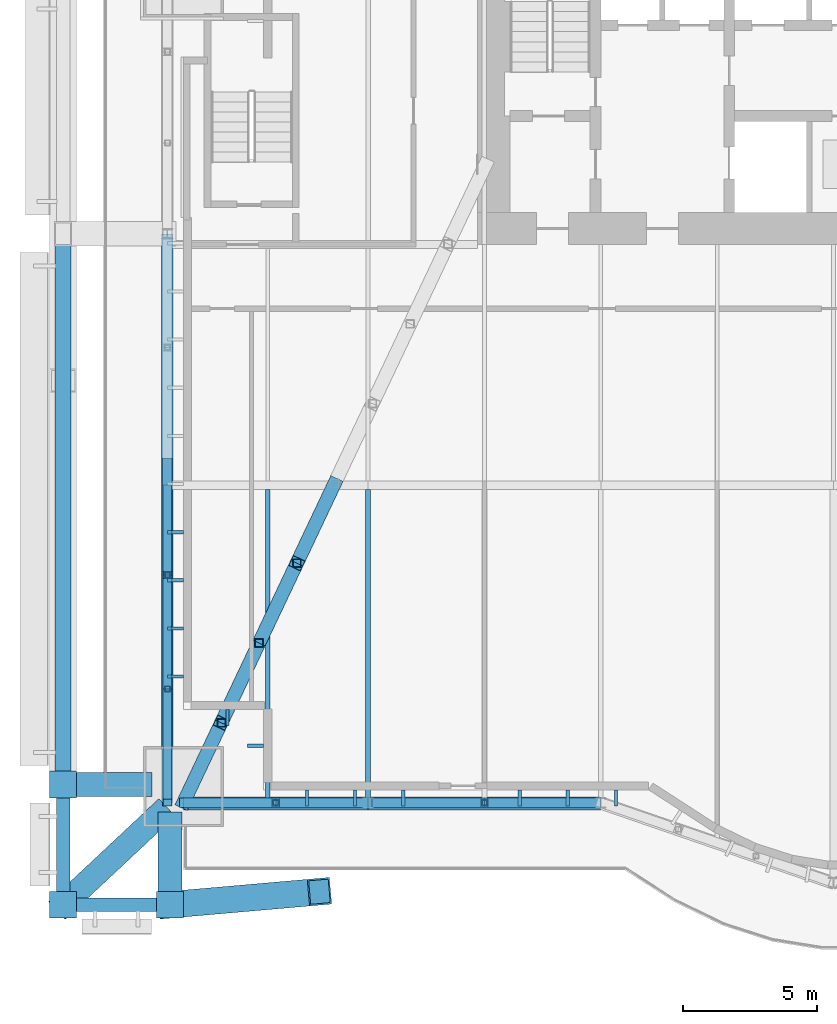
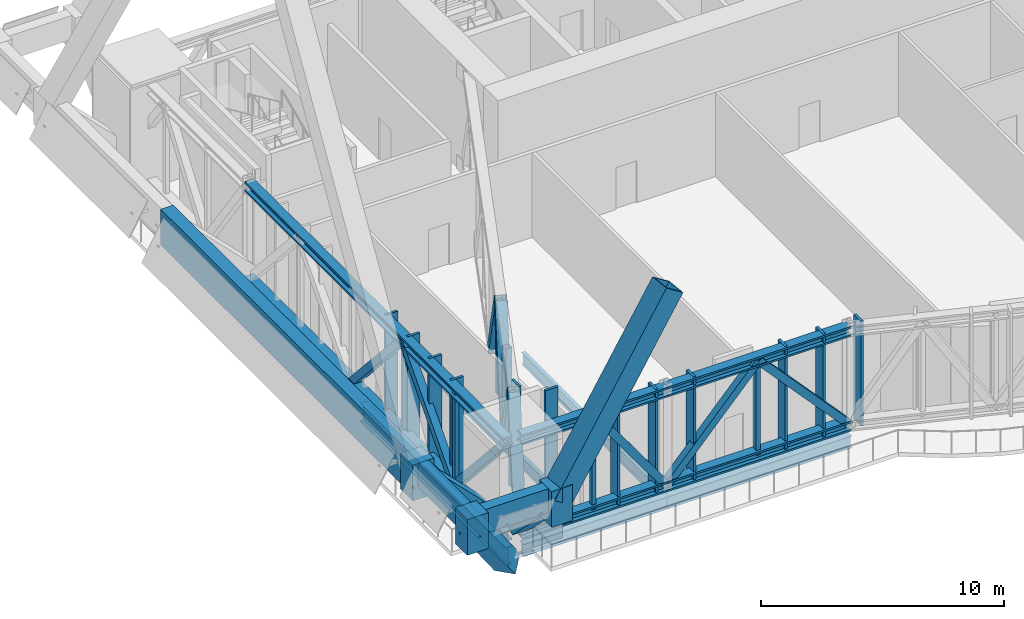
# One storey, part 4 of 32: 43 members, 8 beams, 1 element without a shape of its own.
"""IFC4 building model written with IfcOpenShell, lengths in metres."""

from ifc_helpers import new_model, si_unit, direction, frame, origin, origin_2d, place, context, subcontext, project, spatial, rectangle, hollow_rectangle, i_section, extrude, material, material_profile, profile_set, type_object, element, aggregate, save


model = new_model("IFC4")

# Units and contexts
model_context = context("Model", 3, precision=1e-05, world=origin(), true_north=direction((0.0, 1.0)))
body_context = subcontext(model_context, "Body", "Model", "MODEL_VIEW")
ifc_project = project(units=[si_unit("LENGTHUNIT", "METRE"), si_unit("AREAUNIT", "SQUARE_METRE"), si_unit("VOLUMEUNIT", "CUBIC_METRE"), si_unit("PLANEANGLEUNIT", "RADIAN"), si_unit("MASSUNIT", "GRAM", prefix="KILO")], contexts=[model_context])

# Site, building, storey
site_placement = place(None, origin())
site = spatial("IfcSite", under=ifc_project, at=site_placement, CompositionType="ELEMENT")
building_placement = place(site_placement, origin())
building = spatial("IfcBuilding", under=site, at=building_placement, Name="Bicima Exchange Tower", CompositionType="ELEMENT")
storey_placement = place(building_placement, frame((0.0, 0.0, 135.0)))
storey = spatial("IfcBuildingStorey", under=building, at=storey_placement, Name="L29", CompositionType="ELEMENT", Elevation=135.0)

# Curtain wall, members
ifc_material_1 = material(Name="Anodised bronze aluminium", Category="aluminium")
curtain_wall_type = type_object("IfcCurtainWallType", Name="Band blade screen", PredefinedType="NOTDEFINED", material=ifc_material_1)
curtain_wall_placement = place(storey_placement, origin())
curtain_wall = element("IfcCurtainWall", 1, at=curtain_wall_placement, inside=storey, type_object=curtain_wall_type, Name="Band blade screen L29", PredefinedType="NOTDEFINED")
ifc_material_profile_1 = material_profile(ifc_material_1, rectangle(XDim=0.60009765625, YDim=0.1201171875, at=origin_2d()))
ifc_profile_set_1 = profile_set([ifc_material_profile_1], Name="Anodised bronze aluminium")
member_type_1 = type_object("IfcMemberType", Name="Band blade fin 600 x 120", PredefinedType="USERDEFINED", material=ifc_profile_set_1)
member_1_placement = place(storey_placement, frame((-33.300048828125, -23.756103515625, 0.0), z_axis=(0.0, 0.0, 1.0), x_axis=(1.0, 0.0, 0.0)))
member_1 = element("IfcMember", 2, at=member_1_placement, type_object=member_type_1, Name="Band blade fin 21", ObjectType="FIN", PredefinedType="USERDEFINED", context=body_context, shape_type="SweptSolid", body=[
    extrude(rectangle(XDim=0.60009765625, YDim=0.1201171875, at=origin_2d()), origin(), (0.0, 0.0, 1.0), 5.25),
])
member_2_placement = place(storey_placement, frame((-33.300048828125, -25.55615234375, 0.0), z_axis=(0.0, 0.0, 1.0), x_axis=(1.0, 0.0, 0.0)))
member_2 = element("IfcMember", 3, at=member_2_placement, type_object=member_type_1, Name="Band blade fin 22", ObjectType="FIN", PredefinedType="USERDEFINED", context=body_context, shape_type="SweptSolid", body=[
    extrude(rectangle(XDim=0.60009765625, YDim=0.1201171875, at=origin_2d()), origin(), (0.0, 0.0, 1.0), 5.25),
])
member_3_placement = place(storey_placement, frame((-33.300048828125, -27.356201171875, 0.0), z_axis=(0.0, 0.0, 1.0), x_axis=(1.0, 0.0, 0.0)))
member_3 = element("IfcMember", 4, at=member_3_placement, type_object=member_type_1, Name="Band blade fin 23", ObjectType="FIN", PredefinedType="USERDEFINED", context=body_context, shape_type="SweptSolid", body=[
    extrude(rectangle(XDim=0.60009765625, YDim=0.1201171875, at=origin_2d()), origin(), (0.0, 0.0, 1.0), 5.25),
])
member_4_placement = place(storey_placement, frame((-33.300048828125, -29.156005859375, 0.0), z_axis=(0.0, 0.0, 1.0), x_axis=(1.0, 0.0, 0.0)))
member_4 = element("IfcMember", 5, at=member_4_placement, type_object=member_type_1, Name="Band blade fin 24", ObjectType="FIN", PredefinedType="USERDEFINED", context=body_context, shape_type="SweptSolid", body=[
    extrude(rectangle(XDim=0.60009765625, YDim=0.1201171875, at=origin_2d()), origin(), (0.0, 0.0, 1.0), 5.25),
])
member_5_placement = place(storey_placement, frame((-31.35009765625, -30.68798828125, 0.0), z_axis=(0.0, 0.0, 1.0), x_axis=(0.0, 1.0, 0.0)))
member_5 = element("IfcMember", 6, at=member_5_placement, type_object=member_type_1, Name="Band blade fin 25", ObjectType="FIN", PredefinedType="USERDEFINED", context=body_context, shape_type="SweptSolid", body=[
    extrude(rectangle(XDim=0.60009765625, YDim=0.1201171875, at=origin_2d()), origin(), (0.0, 0.0, 1.0), 5.25),
])
member_6_placement = place(storey_placement, frame((-30.300048828125, -31.738037109375, 0.0), z_axis=(0.0, 0.0, 1.0), x_axis=(1.0, 0.0, 0.0)))
member_6 = element("IfcMember", 7, at=member_6_placement, type_object=member_type_1, Name="Band blade fin 26", ObjectType="FIN", PredefinedType="USERDEFINED", context=body_context, shape_type="SweptSolid", body=[
    extrude(rectangle(XDim=0.60009765625, YDim=0.1201171875, at=origin_2d()), origin(), (0.0, 0.0, 1.0), 5.25),
])
member_7_placement = place(storey_placement, frame((-28.38720703125, -33.68798828125, 0.0), z_axis=(0.0, 0.0, 1.0), x_axis=(0.0, 1.0, 0.0)))
member_7 = element("IfcMember", 8, at=member_7_placement, type_object=member_type_1, Name="Band blade fin 27", ObjectType="FIN", PredefinedType="USERDEFINED", context=body_context, shape_type="SweptSolid", body=[
    extrude(rectangle(XDim=0.60009765625, YDim=0.1201171875, at=origin_2d()), origin(), (0.0, 0.0, 1.0), 5.25),
])
member_8_placement = place(storey_placement, frame((-26.587158203125, -33.68798828125, 0.0), z_axis=(0.0, 0.0, 1.0), x_axis=(0.0, 1.0, 0.0)))
member_8 = element("IfcMember", 9, at=member_8_placement, type_object=member_type_1, Name="Band blade fin 28", ObjectType="FIN", PredefinedType="USERDEFINED", context=body_context, shape_type="SweptSolid", body=[
    extrude(rectangle(XDim=0.60009765625, YDim=0.1201171875, at=origin_2d()), origin(), (0.0, 0.0, 1.0), 5.25),
])
member_9_placement = place(storey_placement, frame((-24.787109375, -33.68798828125, 0.0), z_axis=(0.0, 0.0, 1.0), x_axis=(0.0, 1.0, 0.0)))
member_9 = element("IfcMember", 10, at=member_9_placement, type_object=member_type_1, Name="Band blade fin 29", ObjectType="FIN", PredefinedType="USERDEFINED", context=body_context, shape_type="SweptSolid", body=[
    extrude(rectangle(XDim=0.60009765625, YDim=0.1201171875, at=origin_2d()), origin(), (0.0, 0.0, 1.0), 5.25),
])
member_10_placement = place(storey_placement, frame((-20.432373046875, -33.68798828125, 0.0), z_axis=(0.0, 0.0, 1.0), x_axis=(0.0, 1.0, 0.0)))
member_10 = element("IfcMember", 11, at=member_10_placement, type_object=member_type_1, Name="Band blade fin 30", ObjectType="FIN", PredefinedType="USERDEFINED", context=body_context, shape_type="SweptSolid", body=[
    extrude(rectangle(XDim=0.60009765625, YDim=0.1201171875, at=origin_2d()), origin(), (0.0, 0.0, 1.0), 5.25),
])
member_11_placement = place(storey_placement, frame((-18.63232421875, -33.68798828125, 0.0), z_axis=(0.0, 0.0, 1.0), x_axis=(0.0, 1.0, 0.0)))
member_11 = element("IfcMember", 12, at=member_11_placement, type_object=member_type_1, Name="Band blade fin 31", ObjectType="FIN", PredefinedType="USERDEFINED", context=body_context, shape_type="SweptSolid", body=[
    extrude(rectangle(XDim=0.60009765625, YDim=0.1201171875, at=origin_2d()), origin(), (0.0, 0.0, 1.0), 5.25),
])
member_12_placement = place(storey_placement, frame((-16.83251953125, -33.68798828125, 0.0), z_axis=(0.0, 0.0, 1.0), x_axis=(0.0, 1.0, 0.0)))
member_12 = element("IfcMember", 13, at=member_12_placement, type_object=member_type_1, Name="Band blade fin 32", ObjectType="FIN", PredefinedType="USERDEFINED", context=body_context, shape_type="SweptSolid", body=[
    extrude(rectangle(XDim=0.60009765625, YDim=0.1201171875, at=origin_2d()), origin(), (0.0, 0.0, 1.0), 5.25),
])
aggregate(curtain_wall, [member_1, member_2, member_3, member_4, member_5, member_6, member_7, member_8, member_9, member_10, member_11, member_12])

# Beams
ifc_material_2 = material(Name="Steel ASTM A572 Gr 50", Category="steel")
ifc_material_profile_2 = material_profile(ifc_material_2, hollow_rectangle(XDim=0.5, YDim=1.199951171875, WallThickness=0.0400390625, at=origin_2d()))
ifc_profile_set_2 = profile_set([ifc_material_profile_2], Name="Steel ASTM A572 Gr 50")
beam_type_1 = type_object("IfcBeamType", Name="Belt girder BOX 500x1200x40", PredefinedType="BEAM", material=ifc_profile_set_2)
beam_1_placement = place(storey_placement, frame((-37.5, -37.684814453125, 4.64990234375), z_axis=(1.0, 0.0, 0.0), x_axis=(0.0, 1.0, 0.0)))
element("IfcBeam", 14, at=beam_1_placement, inside=storey, type_object=beam_type_1, Name="Belt girder", PredefinedType="BEAM", context=body_context, shape_type="SweptSolid", body=[
    extrude(hollow_rectangle(XDim=0.5, YDim=1.199951171875, WallThickness=0.0400390625, at=origin_2d()), origin(), (0.0, 0.0, 1.0), 4.0),
])
beam_2_placement = place(storey_placement, frame((-37.5, -33.184814453125, 4.64990234375), z_axis=(0.0, -1.0, 0.0), x_axis=(1.0, 0.0, 0.0)))
element("IfcBeam", 15, at=beam_2_placement, inside=storey, type_object=beam_type_1, Name="Belt girder", PredefinedType="BEAM", context=body_context, shape_type="SweptSolid", body=[
    extrude(hollow_rectangle(XDim=0.5, YDim=1.199951171875, WallThickness=0.0400390625, at=origin_2d()), origin(), (0.0, 0.0, 1.0), 4.5),
])
ifc_material_profile_3 = material_profile(ifc_material_2, hollow_rectangle(XDim=0.60009765625, YDim=1.800048828125, WallThickness=0.06005859375, at=origin_2d()))
ifc_profile_set_3 = profile_set([ifc_material_profile_3], Name="Steel ASTM A572 Gr 50")
beam_type_2 = type_object("IfcBeamType", Name="Belt girder BOX 600x1800x60", PredefinedType="BEAM", material=ifc_profile_set_3)
beam_3_placement = place(storey_placement, frame((-37.5, -12.60009765625, 4.35009765625), z_axis=(0.0, -1.0, 0.0), x_axis=(1.0, 0.0, 0.0)))
element("IfcBeam", 16, at=beam_3_placement, inside=storey, type_object=beam_type_2, Name="Belt girder", PredefinedType="BEAM", context=body_context, shape_type="SweptSolid", body=[
    extrude(hollow_rectangle(XDim=0.60009765625, YDim=1.800048828125, WallThickness=0.06005859375, at=origin_2d()), origin(), (0.0, 0.0, 1.0), 20.584716796875),
])

# Members
ifc_material_3 = material(Name="Steel ASTM A992 Gr 50", Category="steel")
ifc_material_profile_4 = material_profile(ifc_material_3, i_section(OverallWidth=0.431884765625, OverallDepth=0.497802734375, WebThickness=0.0556640625, FlangeThickness=0.0888671875, at=origin_2d()))
ifc_profile_set_4 = profile_set([ifc_material_profile_4], Name="Steel ASTM A992 Gr 50")
member_type_2 = type_object("IfcMemberType", Name="Belt truss chord W14x500", PredefinedType="CHORD", material=ifc_profile_set_4)
for number, where, z_axis, x_axis, name in (
    (17, (-33.0, -33.865966796875, 5.001220703125), (1.0, 0.0, 0.0), (0.0, 1.0, 0.0), "Top chord"),
    (18, (-33.0, -33.865966796875, 0.248779296875), (1.0, 0.0, 0.0), (0.0, 1.0, 0.0), "Bottom chord"),
):
    element("IfcMember", number, at=place(storey_placement, frame(where, z_axis=z_axis, x_axis=x_axis)), inside=storey, type_object=member_type_2, Name=name, PredefinedType="CHORD", context=body_context, shape_type="SweptSolid", body=[
        extrude(i_section(OverallWidth=0.431884765625, OverallDepth=0.497802734375, WebThickness=0.0556640625, FlangeThickness=0.0888671875, at=origin_2d()), origin(), (0.0, 0.0, 1.0), 6.89990234375),
    ])
for number, where, z_axis, x_axis, name in (
    (19, (-26.10009765625, -33.865966796875, 5.001220703125), (1.0, 0.0, 0.0), (0.0, 1.0, 0.0), "Top chord"),
    (20, (-26.10009765625, -33.865966796875, 0.248779296875), (1.0, 0.0, 0.0), (0.0, 1.0, 0.0), "Bottom chord"),
):
    element("IfcMember", number, at=place(storey_placement, frame(where, z_axis=z_axis, x_axis=x_axis)), inside=storey, type_object=member_type_2, Name=name, PredefinedType="CHORD", context=body_context, shape_type="SweptSolid", body=[
        extrude(i_section(OverallWidth=0.431884765625, OverallDepth=0.497802734375, WebThickness=0.0556640625, FlangeThickness=0.0888671875, at=origin_2d()), origin(), (0.0, 0.0, 1.0), 8.7001953125),
    ])
for number, where, z_axis, x_axis, name in (
    (21, (-33.60009765625, -12.60009765625, 5.001220703125), (0.0, -1.0, 0.0), (1.0, 0.0, 0.0), "Top chord"),
    (22, (-33.60009765625, -12.60009765625, 0.248779296875), (0.0, -1.0, 0.0), (1.0, 0.0, 0.0), "Bottom chord"),
):
    element("IfcMember", number, at=place(storey_placement, frame(where, z_axis=z_axis, x_axis=x_axis)), inside=storey, type_object=member_type_2, Name=name, PredefinedType="CHORD", context=body_context, shape_type="SweptSolid", body=[
        extrude(i_section(OverallWidth=0.431884765625, OverallDepth=0.497802734375, WebThickness=0.0556640625, FlangeThickness=0.0888671875, at=origin_2d()), origin(), (0.0, 0.0, 1.0), 21.265869140625),
    ])
ifc_material_profile_5 = material_profile(ifc_material_2, hollow_rectangle(XDim=0.355712890625, YDim=0.355712890625, WallThickness=0.0146484375, at=origin_2d()))
ifc_profile_set_5 = profile_set([ifc_material_profile_5], Name="Steel ASTM A572 Gr 50")
member_type_3 = type_object("IfcMemberType", Name="Belt truss diagonal HSS14x14x5/8", PredefinedType="STRUT", material=ifc_profile_set_5)
for number, where, z_axis, x_axis, name in (
    (23, (-33.0, -33.865966796875, 0.248779296875), (0.587462041023, 0.0, 0.809251722493), (0.0, 1.0, 0.0), "Truss diagonal"),
    (24, (-29.550048828125, -33.865966796875, 5.001220703125), (0.587462041023, 0.0, -0.809251722493), (0.0, 1.0, 0.0), "Truss diagonal"),
):
    element("IfcMember", number, at=place(storey_placement, frame(where, z_axis=z_axis, x_axis=x_axis)), inside=storey, type_object=member_type_3, Name=name, PredefinedType="STRUT", context=body_context, shape_type="SweptSolid", body=[
        extrude(hollow_rectangle(XDim=0.355712890625, YDim=0.355712890625, WallThickness=0.0146484375, at=origin_2d()), origin(), (0.0, 0.0, 1.0), 5.87255859375),
    ])
for number, where, z_axis, x_axis, name in (
    (25, (-26.10009765625, -33.865966796875, 0.248779296875), (0.675192508812, 0.0, 0.737641563393), (0.0, 1.0, 0.0), "Truss diagonal"),
    (26, (-21.75, -33.865966796875, 5.001220703125), (0.675192508812, 0.0, -0.737641563393), (0.0, 1.0, 0.0), "Truss diagonal"),
):
    element("IfcMember", number, at=place(storey_placement, frame(where, z_axis=z_axis, x_axis=x_axis)), inside=storey, type_object=member_type_3, Name=name, PredefinedType="STRUT", context=body_context, shape_type="SweptSolid", body=[
        extrude(hollow_rectangle(XDim=0.355712890625, YDim=0.355712890625, WallThickness=0.0146484375, at=origin_2d()), origin(), (0.0, 0.0, 1.0), 6.44287109375),
    ])
for number, where, z_axis, x_axis, name in (
    (27, (-33.60009765625, -21.1064453125, 0.248779296875), (0.0, -0.666881015123, 0.74516421792), (1.0, 0.0, 0.0), "Truss diagonal"),
    (28, (-33.60009765625, -25.359619140625, 5.001220703125), (0.0, -0.666881015123, -0.74516421792), (1.0, 0.0, 0.0), "Truss diagonal"),
    (29, (-33.60009765625, -29.61279296875, 0.248779296875), (0.0, -0.666881015123, 0.74516421792), (1.0, 0.0, 0.0), "Truss diagonal"),
):
    element("IfcMember", number, at=place(storey_placement, frame(where, z_axis=z_axis, x_axis=x_axis)), inside=storey, type_object=member_type_3, Name=name, PredefinedType="STRUT", context=body_context, shape_type="SweptSolid", body=[
        extrude(hollow_rectangle(XDim=0.355712890625, YDim=0.355712890625, WallThickness=0.0146484375, at=origin_2d()), origin(), (0.0, 0.0, 1.0), 6.377685546875),
    ])
ifc_material_profile_6 = material_profile(ifc_material_2, hollow_rectangle(XDim=0.203125, YDim=0.203125, WallThickness=0.01171875, at=origin_2d()))
ifc_profile_set_6 = profile_set([ifc_material_profile_6], Name="Steel ASTM A572 Gr 50")
member_type_4 = type_object("IfcMemberType", Name="Belt truss post HSS8x8x1/2", PredefinedType="POST", material=ifc_profile_set_6)
for number, where, z_axis, x_axis, name in (
    (30, (-29.550048828125, -33.865966796875, 0.248779296875), (0.0, 0.0, 1.0), (1.0, 0.0, 0.0), "Truss post"),
    (31, (-21.75, -33.865966796875, 0.248779296875), (0.0, 0.0, 1.0), (1.0, 0.0, 0.0), "Truss post"),
    (32, (-33.60009765625, -25.359619140625, 0.248779296875), (0.0, 0.0, 1.0), (1.0, 0.0, 0.0), "Truss post"),
    (33, (-33.60009765625, -29.61279296875, 0.248779296875), (0.0, 0.0, 1.0), (1.0, 0.0, 0.0), "Truss post"),
):
    element("IfcMember", number, at=place(storey_placement, frame(where, z_axis=z_axis, x_axis=x_axis)), inside=storey, type_object=member_type_4, Name=name, PredefinedType="POST", context=body_context, shape_type="SweptSolid", body=[
        extrude(hollow_rectangle(XDim=0.203125, YDim=0.203125, WallThickness=0.01171875, at=origin_2d()), origin(), (0.0, 0.0, 1.0), 4.75244140625),
    ])

# Beam
ifc_material_profile_7 = material_profile(ifc_material_3, i_section(OverallWidth=0.3046875, OverallDepth=0.911865234375, WebThickness=0.015869140625, FlangeThickness=0.02392578125, at=origin_2d()))
ifc_profile_set_7 = profile_set([ifc_material_profile_7], Name="Steel ASTM A992 Gr 50")
beam_type_3 = type_object("IfcBeamType", Name="End girder W36x150", PredefinedType="BEAM", material=ifc_profile_set_7)
beam_4_placement = place(storey_placement, frame((-33.60009765625, -22.0, -0.656005859375), z_axis=(0.0, -1.0, 0.0), x_axis=(1.0, 0.0, 0.0)))
element("IfcBeam", 34, at=beam_4_placement, inside=storey, type_object=beam_type_3, Name="End girder", PredefinedType="BEAM", context=body_context, shape_type="SweptSolid", body=[
    extrude(i_section(OverallWidth=0.3046875, OverallDepth=0.911865234375, WebThickness=0.015869140625, FlangeThickness=0.02392578125, at=origin_2d()), origin(), (0.0, 0.0, 1.0), 11.988037109375),
])

# Members
ifc_material_profile_8 = material_profile(ifc_material_2, hollow_rectangle(XDim=1.0, YDim=1.0, WallThickness=0.06005859375, at=origin_2d()))
ifc_profile_set_8 = profile_set([ifc_material_profile_8], Name="Steel ASTM A572 Gr 50")
member_type_5 = type_object("IfcMemberType", Name="Exo mega brace BOX 1000x1000x60", PredefinedType="BRACE", material=ifc_profile_set_8)
member_13_placement = place(storey_placement, frame((-33.5, -37.684814453125, 4.5), z_axis=(0.55214125077, 0.048263166745, 0.832352513022), x_axis=(-0.08707886834, 0.996201420742, 0.0)))
element("IfcMember", 35, at=member_13_placement, inside=storey, type_object=member_type_5, Name="Exo mega brace front", PredefinedType="BRACE", context=body_context, shape_type="SweptSolid", body=[
    extrude(hollow_rectangle(XDim=1.0, YDim=1.0, WallThickness=0.06005859375, at=origin_2d()), origin(), (0.0, 0.0, 1.0), 10.112060546875),
])
ifc_material_4 = material(Name="Cast steel ASTM A216 Gr WCB", Category="steel")
ifc_material_profile_9 = material_profile(ifc_material_4, rectangle(XDim=1.0, YDim=1.0, at=origin_2d()))
ifc_profile_set_9 = profile_set([ifc_material_profile_9], Name="Cast steel ASTM A216 Gr WCB")
member_type_6 = type_object("IfcMemberType", Name="Exo node block", PredefinedType="POST", material=ifc_profile_set_9)
for number, where, z_axis, x_axis, name in (
    (36, (-37.5, -37.684814453125, 3.449951171875), (0.0, 0.0, 1.0), (1.0, 0.0, 0.0), "Exo node block"),
    (37, (-33.5, -37.684814453125, 3.449951171875), (0.0, 0.0, 1.0), (1.0, 0.0, 0.0), "Exo node block"),
    (38, (-37.5, -33.184814453125, 3.449951171875), (0.0, 0.0, 1.0), (1.0, 0.0, 0.0), "Exo node block"),
):
    element("IfcMember", number, at=place(storey_placement, frame(where, z_axis=z_axis, x_axis=x_axis)), inside=storey, type_object=member_type_6, Name=name, PredefinedType="POST", context=body_context, shape_type="SweptSolid", body=[
        extrude(rectangle(XDim=1.0, YDim=1.0, at=origin_2d()), origin(), (0.0, 0.0, 1.0), 1.800048828125),
    ])
ifc_material_profile_10 = material_profile(ifc_material_2, hollow_rectangle(XDim=0.89990234375, YDim=0.89990234375, WallThickness=0.050048828125, at=origin_2d()))
ifc_profile_set_10 = profile_set([ifc_material_profile_10], Name="Steel ASTM A572 Gr 50")
member_type_7 = type_object("IfcMemberType", Name="Exo outrigger stub BOX 900x900x50", PredefinedType="STRUT", material=ifc_profile_set_10)
member_14_placement = place(storey_placement, frame((-33.848388671875, -34.268310546875, -0.70068359375), z_axis=(-0.506125264948, -0.473538607854, 0.720831743927), x_axis=(0.683208359889, -0.730223484269, 0.0)))
element("IfcMember", 39, at=member_14_placement, inside=storey, type_object=member_type_7, Name="Exo outrigger stub", PredefinedType="STRUT", context=body_context, shape_type="SweptSolid", body=[
    extrude(hollow_rectangle(XDim=0.89990234375, YDim=0.89990234375, WallThickness=0.050048828125, at=origin_2d()), origin(), (0.0, 0.0, 1.0), 7.21484375),
])
member_15_placement = place(storey_placement, frame((-33.5, -34.52734375, 1.3427734375), z_axis=(0.0, -0.707134119022, 0.707079442294), x_axis=(1.0, 0.0, 0.0)))
element("IfcMember", 40, at=member_15_placement, inside=storey, type_object=member_type_7, Name="Exo outrigger stub", PredefinedType="STRUT", context=body_context, shape_type="SweptSolid", body=[
    extrude(hollow_rectangle(XDim=0.89990234375, YDim=0.89990234375, WallThickness=0.050048828125, at=origin_2d()), origin(), (0.0, 0.0, 1.0), 4.465087890625),
])
member_16_placement = place(storey_placement, frame((-34.5, -33.184814453125, 1.5), z_axis=(-0.707106781187, 0.0, 0.707106781187), x_axis=(0.0, -1.0, 0.0)))
element("IfcMember", 41, at=member_16_placement, inside=storey, type_object=member_type_7, Name="Exo outrigger stub", PredefinedType="STRUT", context=body_context, shape_type="SweptSolid", body=[
    extrude(hollow_rectangle(XDim=0.89990234375, YDim=0.89990234375, WallThickness=0.050048828125, at=origin_2d()), origin(), (0.0, 0.0, 1.0), 4.24267578125),
])

# Beams
ifc_material_profile_11 = material_profile(ifc_material_3, i_section(OverallWidth=0.177978515625, OverallDepth=0.599365234375, WebThickness=0.010009765625, FlangeThickness=0.012939453125, at=origin_2d()))
ifc_profile_set_11 = profile_set([ifc_material_profile_11], Name="Steel ASTM A992 Gr 50")
beam_type_4 = type_object("IfcBeamType", Name="Floor beam W24x55", PredefinedType="JOIST", material=ifc_profile_set_11)
for number, where, z_axis, x_axis, name in (
    (42, (-29.85009765625, -22.16259765625, -0.499755859375), (0.0, -1.0, 0.0), (1.0, 0.0, 0.0), "Floor beam"),
    (43, (-26.10009765625, -22.16259765625, -0.499755859375), (0.0, -1.0, 0.0), (1.0, 0.0, 0.0), "Floor beam"),
):
    element("IfcBeam", number, at=place(storey_placement, frame(where, z_axis=z_axis, x_axis=x_axis)), inside=storey, type_object=beam_type_4, Name=name, PredefinedType="JOIST", context=body_context, shape_type="SweptSolid", body=[
        extrude(i_section(OverallWidth=0.177978515625, OverallDepth=0.599365234375, WebThickness=0.010009765625, FlangeThickness=0.012939453125, at=origin_2d()), origin(), (0.0, 0.0, 1.0), 11.662841796875),
    ])
ifc_material_profile_12 = material_profile(ifc_material_3, i_section(OverallWidth=0.3251953125, OverallDepth=0.612060546875, WebThickness=0.0126953125, FlangeThickness=0.01904296875, at=origin_2d()))
ifc_profile_set_12 = profile_set([ifc_material_profile_12], Name="Steel ASTM A992 Gr 50")
beam_type_5 = type_object("IfcBeamType", Name="Front girder W24x104", PredefinedType="BEAM", material=ifc_profile_set_12)
beam_5_placement = place(storey_placement, frame((-33.0, -33.988037109375, -0.506103515625), z_axis=(1.0, 0.0, 0.0), x_axis=(0.0, 1.0, 0.0)))
element("IfcBeam", 44, at=beam_5_placement, inside=storey, type_object=beam_type_5, Name="Front girder", PredefinedType="BEAM", context=body_context, shape_type="SweptSolid", body=[
    extrude(i_section(OverallWidth=0.3251953125, OverallDepth=0.612060546875, WebThickness=0.0126953125, FlangeThickness=0.01904296875, at=origin_2d()), origin(), (0.0, 0.0, 1.0), 6.89990234375),
])
beam_6_placement = place(storey_placement, frame((-26.10009765625, -33.988037109375, -0.506103515625), z_axis=(1.0, 0.0, 0.0), x_axis=(0.0, 1.0, 0.0)))
element("IfcBeam", 45, at=beam_6_placement, inside=storey, type_object=beam_type_5, Name="Front girder", PredefinedType="BEAM", context=body_context, shape_type="SweptSolid", body=[
    extrude(i_section(OverallWidth=0.3251953125, OverallDepth=0.612060546875, WebThickness=0.0126953125, FlangeThickness=0.01904296875, at=origin_2d()), origin(), (0.0, 0.0, 1.0), 8.7001953125),
])

# Members
ifc_material_profile_13 = material_profile(ifc_material_2, hollow_rectangle(XDim=0.508056640625, YDim=0.508056640625, WallThickness=0.017822265625, at=origin_2d()))
ifc_profile_set_13 = profile_set([ifc_material_profile_13], Name="Steel ASTM A572 Gr 50")
member_type_8 = type_object("IfcMemberType", Name="Outrigger truss diagonal HSS20x20x3/4", PredefinedType="STRUT", material=ifc_profile_set_13)
for number, where, z_axis, x_axis, name in (
    (46, (-27.35009765625, -21.93310546875, 0.284423828125), (-0.246580786875, -0.520824655976, 0.817275714353), (0.903822165624, -0.427908276302, 0.0), "Truss diagonal"),
    (47, (-28.762451171875, -24.916259765625, 4.965576171875), (-0.246620818769, -0.520819181566, -0.817267123934), (0.903793556937, -0.427968697965, 0.0), "Truss diagonal"),
    (48, (-30.175048828125, -27.8994140625, 0.284423828125), (-0.24657531281, -0.520855716946, 0.817257570927), (0.90383570832, -0.427879670428, 0.0), "Truss diagonal"),
    (49, (-31.58740234375, -30.8828125, 4.965576171875), (-0.246620818769, -0.520819181566, -0.817267123934), (0.903793556937, -0.427968697965, 0.0), "Truss diagonal"),
):
    element("IfcMember", number, at=place(storey_placement, frame(where, z_axis=z_axis, x_axis=x_axis)), inside=storey, type_object=member_type_8, Name=name, PredefinedType="STRUT", context=body_context, shape_type="SweptSolid", body=[
        extrude(hollow_rectangle(XDim=0.508056640625, YDim=0.508056640625, WallThickness=0.017822265625, at=origin_2d()), origin(), (0.0, 0.0, 1.0), 5.727783203125),
    ])
ifc_material_profile_14 = material_profile(ifc_material_2, hollow_rectangle(XDim=0.3046875, YDim=0.3046875, WallThickness=0.01171875, at=origin_2d()))
ifc_profile_set_14 = profile_set([ifc_material_profile_14], Name="Steel ASTM A572 Gr 50")
member_type_9 = type_object("IfcMemberType", Name="Outrigger truss post HSS12x12x1/2", PredefinedType="POST", material=ifc_profile_set_14)
for number, where, z_axis, x_axis, name in (
    (50, (-28.762451171875, -24.916259765625, 0.284423828125), (0.0, 0.0, 1.0), (1.0, 0.0, 0.0), "Truss post"),
    (51, (-30.175048828125, -27.8994140625, 0.284423828125), (0.0, 0.0, 1.0), (1.0, 0.0, 0.0), "Truss post"),
    (52, (-31.58740234375, -30.8828125, 0.284423828125), (0.0, 0.0, 1.0), (1.0, 0.0, 0.0), "Truss post"),
):
    element("IfcMember", number, at=place(storey_placement, frame(where, z_axis=z_axis, x_axis=x_axis)), inside=storey, type_object=member_type_9, Name=name, PredefinedType="POST", context=body_context, shape_type="SweptSolid", body=[
        extrude(hollow_rectangle(XDim=0.3046875, YDim=0.3046875, WallThickness=0.01171875, at=origin_2d()), origin(), (0.0, 0.0, 1.0), 4.68115234375),
    ])

save(model, "model.ifc")
